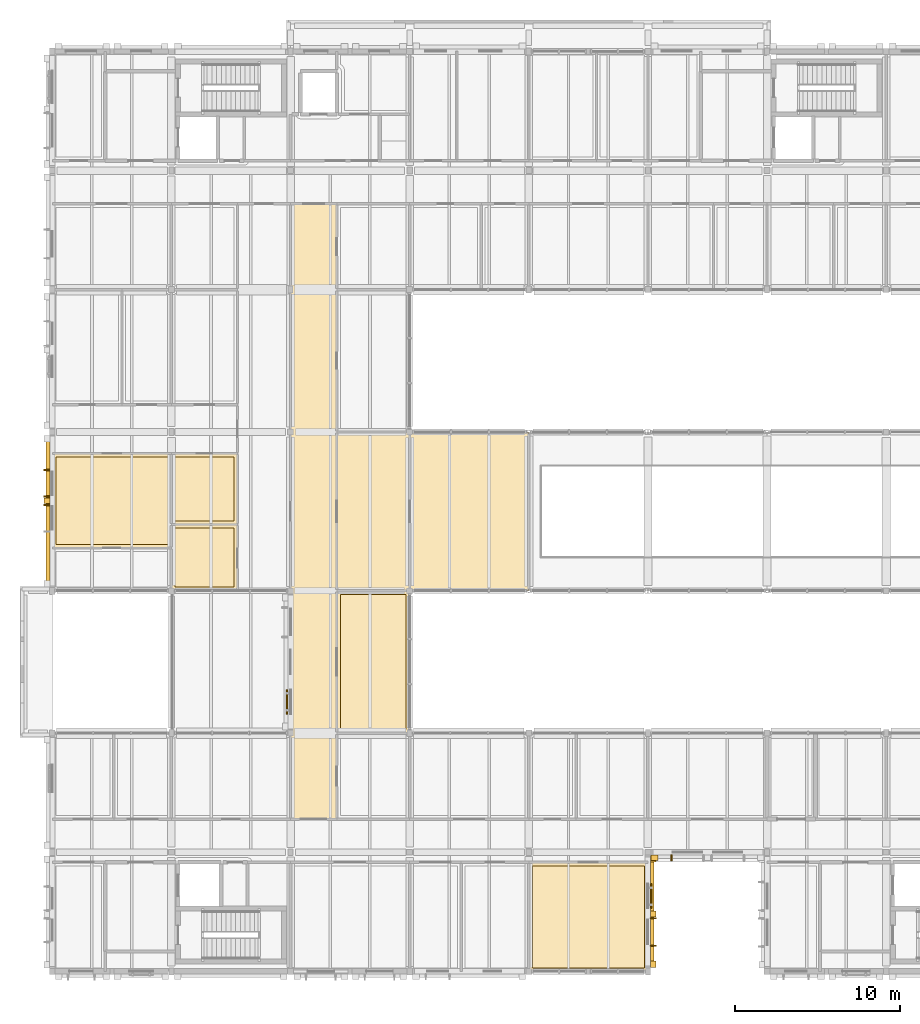
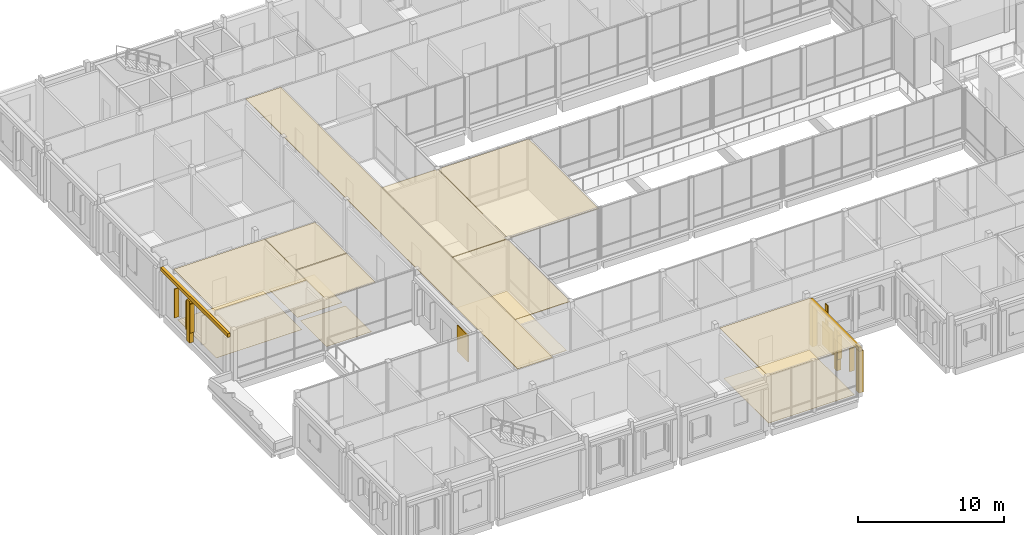
# One storey, part 132 of 146: 20 coverings, 8 shading devices.
"""IFC4 building model written with IfcOpenShell, lengths in metres."""

from ifc_helpers import new_model, si_unit, direction, frame, origin, origin_2d, place, context, subcontext, project, spatial, polyline, rectangle, outline, extrude, material, layer, layer_set, type_object, element, save


model = new_model("IFC4")

# Units and contexts
model_context = context("Model", 3, precision=1e-05, world=origin(), true_north=direction((0.0, 1.0)))
body_context = subcontext(model_context, "Body", "Model", "MODEL_VIEW")
ifc_project = project(units=[si_unit("LENGTHUNIT", "METRE"), si_unit("AREAUNIT", "SQUARE_METRE"), si_unit("VOLUMEUNIT", "CUBIC_METRE"), si_unit("PLANEANGLEUNIT", "RADIAN"), si_unit("MASSUNIT", "GRAM", prefix="KILO")], contexts=[model_context])

# Site, building, storey
site_placement = place(None, origin())
site = spatial("IfcSite", under=ifc_project, at=site_placement, CompositionType="ELEMENT")
building_placement = place(site_placement, origin())
building = spatial("IfcBuilding", under=site, at=building_placement, Name="Hawrajan Terrace Health Centre", CompositionType="ELEMENT")
storey_placement = place(building_placement, frame((0.0, 0.0, 4.5)))
storey = spatial("IfcBuildingStorey", under=building, at=storey_placement, Name="L01", CompositionType="ELEMENT", Elevation=4.5)

# Coverings
ifc_material_1 = material(Name="Precast concrete C40/50", Category="concrete")
ifc_layer_1 = layer(ifc_material_1, 0.219970703125)
ifc_layer_set_1 = layer_set([ifc_layer_1], Name="Precast concrete C40/50")
covering_type_1 = type_object("IfcCoveringType", Name="ArtDecoCorniceBand", PredefinedType="CLADDING", material=ifc_layer_set_1)
covering_1_placement = place(storey_placement, frame((4.340087890625, 32.014892578125, 3.48974609375), z_axis=(0.0, 0.0, 1.0), x_axis=(0.0, 1.0, 0.0)))
element("IfcCovering", 1, at=covering_1_placement, inside=storey, type_object=covering_type_1, Name="Art Deco limestone cornice band CRN-L01-0051", PredefinedType="CLADDING", context=body_context, shape_type="SweptSolid", body=[
    extrude(rectangle(XDim=9.169921875, YDim=0.219970703125, at=origin_2d()), origin(), (0.0, 0.0, 1.0), 0.300048828125),
])
covering_2_placement = place(storey_placement, frame((40.860107421875, 7.81494140625, 3.48974609375), z_axis=(0.0, 0.0, 1.0), x_axis=(0.0, 1.0, 0.0)))
element("IfcCovering", 2, at=covering_2_placement, inside=storey, type_object=covering_type_1, Name="Art Deco limestone cornice band CRN-L01-0066", PredefinedType="CLADDING", context=body_context, shape_type="SweptSolid", body=[
    extrude(rectangle(XDim=6.77001953125, YDim=0.219970703125, at=origin_2d()), origin(), (0.0, 0.0, 1.0), 0.300048828125),
])
ifc_layer_2 = layer(ifc_material_1, 0.340087890625)
ifc_layer_set_2 = layer_set([ifc_layer_2], Name="Precast concrete C40/50")
covering_type_2 = type_object("IfcCoveringType", Name="ArtDecoStonePilaster", PredefinedType="CLADDING", material=ifc_layer_set_2)
covering_3_placement = place(storey_placement, frame((4.280029296875, 32.644775390625, 0.0), z_axis=(0.0, 0.0, 1.0), x_axis=(0.0, 1.0, 0.0)))
element("IfcCovering", 3, at=covering_3_placement, inside=storey, type_object=covering_type_2, Name="Art Deco mullion pilaster FPIL-L01-0074", PredefinedType="CLADDING", context=body_context, shape_type="SweptSolid", body=[
    extrude(rectangle(XDim=0.360107421875, YDim=0.340087890625, at=origin_2d()), origin(), (0.0, 0.0, 1.0), 3.47998046875),
])
for number, where, z_axis, x_axis, name in (
    (4, (40.919921875, 4.6298828125, 0.0), (0.0, 0.0, 1.0), (0.0, 1.0, 0.0), "Art Deco fluted limestone pilaster FPIL-L01-0105"),
    (5, (40.919921875, 11.0, 0.0), (0.0, 0.0, 1.0), (0.0, 1.0, 0.0), "Art Deco fluted limestone pilaster FPIL-L01-0106"),
):
    element("IfcCovering", number, at=place(storey_placement, frame(where, z_axis=z_axis, x_axis=x_axis)), inside=storey, type_object=covering_type_2, Name=name, PredefinedType="CLADDING", context=body_context, shape_type="SweptSolid", body=[
        extrude(rectangle(XDim=0.39990234375, YDim=0.340087890625, at=origin_2d()), origin(), (0.0, 0.0, 1.0), 3.47998046875),
    ])
covering_4_placement = place(storey_placement, frame((40.919921875, 7.6650390625, 0.0), z_axis=(0.0, 0.0, 1.0), x_axis=(0.0, 1.0, 0.0)))
element("IfcCovering", 6, at=covering_4_placement, inside=storey, type_object=covering_type_2, Name="Art Deco mullion pilaster FPIL-L01-0107", PredefinedType="CLADDING", context=body_context, shape_type="SweptSolid", body=[
    extrude(rectangle(XDim=0.360107421875, YDim=0.340087890625, at=origin_2d()), origin(), (0.0, 0.0, 1.0), 3.47998046875),
])
covering_5_placement = place(storey_placement, frame((41.0, 11.070068359375, 0.0), z_axis=(0.0, 0.0, 1.0), x_axis=(1.0, 0.0, 0.0)))
element("IfcCovering", 7, at=covering_5_placement, inside=storey, type_object=covering_type_2, Name="Art Deco fluted limestone pilaster FPIL-L01-0108", PredefinedType="CLADDING", context=body_context, shape_type="SweptSolid", body=[
    extrude(rectangle(XDim=0.39990234375, YDim=0.340087890625, at=origin_2d()), origin(), (0.0, 0.0, 1.0), 3.47998046875),
])
ifc_material_2 = material(Name="Acoustic linear cedar-slat suspended ceiling")
ifc_layer_3 = layer(ifc_material_2, 0.034912109375)
ifc_layer_set_3 = layer_set([ifc_layer_3], Name="Acoustic linear cedar-slat suspended ceiling")
covering_type_3 = type_object("IfcCoveringType", Name="CedarSlatHallCeiling_35", PredefinedType="CEILING", material=ifc_layer_set_3)
covering_6_placement = place(storey_placement, frame((0.0, 0.0, 4.14501953125)))
element("IfcCovering", 8, at=covering_6_placement, inside=storey, type_object=covering_type_3, Name="Suspended ceiling L01-065", PredefinedType="CEILING", context=body_context, shape_type="SweptSolid", body=[
    extrude(outline(polyline([(21.820068359375, 27.179931640625), (26.179931640625, 27.179931640625), (26.179931640625, 18.6201171875), (21.820068359375, 18.6201171875), (21.820068359375, 27.179931640625)])), origin(), (0.0, 0.0, 1.0), 0.034912109375),
])
covering_7_placement = place(storey_placement, frame((0.0, 0.0, 4.14501953125)))
element("IfcCovering", 9, at=covering_7_placement, inside=storey, type_object=covering_type_3, Name="Suspended ceiling L01-066", PredefinedType="CEILING", context=body_context, shape_type="SweptSolid", body=[
    extrude(outline(polyline([(21.820068359375, 36.780029296875), (26.179931640625, 36.780029296875), (26.179931640625, 27.219970703125), (21.820068359375, 27.219970703125), (21.820068359375, 36.780029296875)])), origin(), (0.0, 0.0, 1.0), 0.034912109375),
])
covering_8_placement = place(storey_placement, frame((0.0, 0.0, 4.14501953125)))
element("IfcCovering", 10, at=covering_8_placement, inside=storey, type_object=covering_type_3, Name="Suspended ceiling L01-068", PredefinedType="CEILING", context=body_context, shape_type="SweptSolid", body=[
    extrude(outline(polyline([(26.219970703125, 36.780029296875), (33.3798828125, 36.780029296875), (33.3798828125, 27.219970703125), (26.219970703125, 27.219970703125), (26.219970703125, 36.780029296875)])), origin(), (0.0, 0.0, 1.0), 0.034912109375),
])
ifc_material_3 = material(Name="Hygienic mineral-fibre acoustic tile ceiling")
ifc_layer_4 = layer(ifc_material_3, 0.02490234375)
ifc_layer_set_4 = layer_set([ifc_layer_4], Name="Hygienic mineral-fibre acoustic tile ceiling")
covering_type_4 = type_object("IfcCoveringType", Name="ClinicalAcousticCeiling_25", PredefinedType="CEILING", material=ifc_layer_set_4)
covering_9_placement = place(storey_placement, frame((0.0, 0.0, 4.155029296875)))
element("IfcCovering", 11, at=covering_9_placement, inside=storey, type_object=covering_type_4, Name="Suspended ceiling L01-056", PredefinedType="CEILING", context=body_context, shape_type="SweptSolid", body=[
    extrude(outline(polyline([(19.02001953125, 50.580078125), (21.780029296875, 50.580078125), (21.780029296875, 13.419921875), (19.02001953125, 13.419921875), (19.02001953125, 50.580078125)])), origin(), (0.0, 0.0, 1.0), 0.02490234375),
])
covering_10_placement = place(storey_placement, frame((0.0, 0.0, 4.155029296875)))
element("IfcCovering", 12, at=covering_10_placement, inside=storey, type_object=covering_type_4, Name="Suspended ceiling L01-077", PredefinedType="CEILING", context=body_context, shape_type="SweptSolid", body=[
    extrude(outline(polyline([(4.6201171875, 35.47998046875), (11.780029296875, 35.47998046875), (11.780029296875, 29.8095703125), (4.6201171875, 29.8095703125), (4.6201171875, 35.47998046875)])), origin(), (0.0, 0.0, 1.0), 0.02490234375),
])
covering_11_placement = place(storey_placement, frame((0.0, 0.0, 4.155029296875)))
element("IfcCovering", 13, at=covering_11_placement, inside=storey, type_object=covering_type_4, Name="Suspended ceiling L01-082", PredefinedType="CEILING", context=body_context, shape_type="SweptSolid", body=[
    extrude(outline(polyline([(11.820068359375, 31.18896484375), (15.780029296875, 31.18896484375), (15.780029296875, 27.219970703125), (11.820068359375, 27.219970703125), (11.820068359375, 31.18896484375)])), origin(), (0.0, 0.0, 1.0), 0.02490234375),
])
covering_12_placement = place(storey_placement, frame((0.0, 0.0, 4.155029296875)))
element("IfcCovering", 14, at=covering_12_placement, inside=storey, type_object=covering_type_4, Name="Suspended ceiling L01-083", PredefinedType="CEILING", context=body_context, shape_type="SweptSolid", body=[
    extrude(outline(polyline([(11.820068359375, 35.47998046875), (15.780029296875, 35.47998046875), (15.780029296875, 31.22900390625), (11.820068359375, 31.22900390625), (11.820068359375, 35.47998046875)])), origin(), (0.0, 0.0, 1.0), 0.02490234375),
])
covering_13_placement = place(storey_placement, frame((0.0, 0.0, 4.155029296875)))
element("IfcCovering", 15, at=covering_13_placement, inside=storey, type_object=covering_type_4, Name="Suspended ceiling L01-137", PredefinedType="CEILING", context=body_context, shape_type="SweptSolid", body=[
    extrude(outline(polyline([(33.419921875, 10.780029296875), (40.580078125, 10.780029296875), (40.580078125, 4.219970703125), (33.419921875, 4.219970703125), (33.419921875, 10.780029296875)])), origin(), (0.0, 0.0, 1.0), 0.02490234375),
])
ifc_material_4 = material(Name="Seamless medical-grade cushioned vinyl flooring")
ifc_layer_5 = layer(ifc_material_4, 0.011962890625)
ifc_layer_set_5 = layer_set([ifc_layer_5], Name="Seamless medical-grade cushioned vinyl flooring")
covering_type_5 = type_object("IfcCoveringType", Name="ClinicalVinylFlooring_12", PredefinedType="FLOORING", material=ifc_layer_set_5)
covering_14_placement = place(storey_placement, origin())
element("IfcCovering", 16, at=covering_14_placement, inside=storey, type_object=covering_type_5, Name="Floor finish L01-077", PredefinedType="FLOORING", context=body_context, shape_type="SweptSolid", body=[
    extrude(outline(polyline([(4.820068359375, 35.280029296875), (11.580078125, 35.280029296875), (11.580078125, 30.009521484375), (4.820068359375, 30.009521484375), (4.820068359375, 35.280029296875)])), origin(), (0.0, 0.0, 1.0), 0.011962890625),
])
covering_15_placement = place(storey_placement, origin())
element("IfcCovering", 17, at=covering_15_placement, inside=storey, type_object=covering_type_5, Name="Floor finish L01-082", PredefinedType="FLOORING", context=body_context, shape_type="SweptSolid", body=[
    extrude(outline(polyline([(12.02001953125, 30.989013671875), (15.580078125, 30.989013671875), (15.580078125, 27.419921875), (12.02001953125, 27.419921875), (12.02001953125, 30.989013671875)])), origin(), (0.0, 0.0, 1.0), 0.011962890625),
])
covering_16_placement = place(storey_placement, origin())
element("IfcCovering", 18, at=covering_16_placement, inside=storey, type_object=covering_type_5, Name="Floor finish L01-083", PredefinedType="FLOORING", context=body_context, shape_type="SweptSolid", body=[
    extrude(outline(polyline([(12.02001953125, 35.280029296875), (15.580078125, 35.280029296875), (15.580078125, 31.428955078125), (12.02001953125, 31.428955078125), (12.02001953125, 35.280029296875)])), origin(), (0.0, 0.0, 1.0), 0.011962890625),
])
covering_17_placement = place(storey_placement, origin())
element("IfcCovering", 19, at=covering_17_placement, inside=storey, type_object=covering_type_5, Name="Floor finish L01-137", PredefinedType="FLOORING", context=body_context, shape_type="SweptSolid", body=[
    extrude(outline(polyline([(33.6201171875, 10.580078125), (40.3798828125, 10.580078125), (40.3798828125, 4.419921875), (33.6201171875, 4.419921875), (33.6201171875, 10.580078125)])), origin(), (0.0, 0.0, 1.0), 0.011962890625),
])

# Shading devices
ifc_material_5 = material(Name="Anodized bronze mashrabiya vertical solar fin")
ifc_layer_6 = layer(ifc_material_5, 0.080078125)
ifc_layer_set_6 = layer_set([ifc_layer_6], Name="Anodized bronze mashrabiya vertical solar fin")
shading_device_type_1 = type_object("IfcShadingDeviceType", Name="MashrabiyaVerticalFin", PredefinedType="USERDEFINED", material=ifc_layer_set_6)
for number, where, z_axis, x_axis, name in (
    (20, (4.27001953125, 32.394775390625, 0.900146484375), (0.0, 0.0, 1.0), (0.0, 1.0, 0.0), "Bronze mashrabiya solar fin FIN-L01-0055"),
    (21, (4.27001953125, 32.894775390625, 0.900146484375), (0.0, 0.0, 1.0), (0.0, 1.0, 0.0), "Bronze mashrabiya solar fin FIN-L01-0056"),
    (22, (4.27001953125, 34.494873046875, 0.900146484375), (0.0, 0.0, 1.0), (0.0, 1.0, 0.0), "Bronze mashrabiya solar fin FIN-L01-0057"),
):
    element("IfcShadingDevice", number, at=place(storey_placement, frame(where, z_axis=z_axis, x_axis=x_axis)), inside=storey, type_object=shading_device_type_1, Name=name, ObjectType="SOLAR_FIN", PredefinedType="USERDEFINED", context=body_context, shape_type="SweptSolid", body=[
        extrude(rectangle(XDim=0.080078125, YDim=0.360107421875, at=origin_2d()), origin(), (0.0, 0.0, 1.0), 2.39990234375),
    ])
for number, where, z_axis, x_axis, name in (
    (23, (40.929931640625, 5.7548828125, 1.0), (0.0, 0.0, 1.0), (0.0, 1.0, 0.0), "Bronze mashrabiya solar fin FIN-L01-0075"),
    (24, (40.929931640625, 7.4150390625, 1.0), (0.0, 0.0, 1.0), (0.0, 1.0, 0.0), "Bronze mashrabiya solar fin FIN-L01-0076"),
    (25, (42.02001953125, 11.06005859375, 1.0), (0.0, 0.0, 1.0), (1.0, 0.0, 0.0), "Bronze mashrabiya solar fin FIN-L01-0078"),
):
    element("IfcShadingDevice", number, at=place(storey_placement, frame(where, z_axis=z_axis, x_axis=x_axis)), inside=storey, type_object=shading_device_type_1, Name=name, ObjectType="SOLAR_FIN", PredefinedType="USERDEFINED", context=body_context, shape_type="SweptSolid", body=[
        extrude(rectangle(XDim=0.080078125, YDim=0.360107421875, at=origin_2d()), origin(), (0.0, 0.0, 1.0), 1.949951171875),
    ])
ifc_material_6 = material(Name="Anodized bronze and cedar roshan lattice")
ifc_layer_7 = layer(ifc_material_6, 0.080078125)
ifc_layer_set_7 = layer_set([ifc_layer_7], Name="Anodized bronze and cedar roshan lattice")
shading_device_type_2 = type_object("IfcShadingDeviceType", Name="RoshanScreen_BronzeCedar", PredefinedType="JALOUSIE", material=ifc_layer_set_7)
shading_device_1_placement = place(storey_placement, frame((18.794921875, 20.4951171875, 1.0), z_axis=(0.0, 0.0, 1.0), x_axis=(0.0, 1.0, 0.0)))
element("IfcShadingDevice", 26, at=shading_device_1_placement, inside=storey, type_object=shading_device_type_2, Name="Hijazi roshan solar screen RSH-L01-070", PredefinedType="JALOUSIE", context=body_context, shape_type="SweptSolid", body=[
    extrude(rectangle(XDim=1.47998046875, YDim=0.080078125, at=origin_2d()), origin(), (0.0, 0.0, 1.0), 2.199951171875),
])
shading_device_2_placement = place(storey_placement, frame((40.794921875, 8.7451171875, 1.0), z_axis=(0.0, 0.0, 1.0), x_axis=(0.0, 1.0, 0.0)))
element("IfcShadingDevice", 27, at=shading_device_2_placement, inside=storey, type_object=shading_device_type_2, Name="Hijazi roshan solar screen RSH-L01-077", PredefinedType="JALOUSIE", context=body_context, shape_type="SweptSolid", body=[
    extrude(rectangle(XDim=1.47998046875, YDim=0.080078125, at=origin_2d()), origin(), (0.0, 0.0, 1.0), 1.949951171875),
])

# Covering
ifc_material_7 = material(Name="Polished coral-aggregate terrazzo flooring")
ifc_layer_8 = layer(ifc_material_7, 0.02001953125)
ifc_layer_set_8 = layer_set([ifc_layer_8], Name="Polished coral-aggregate terrazzo flooring")
covering_type_6 = type_object("IfcCoveringType", Name="TerrazzoHallFlooring_20", PredefinedType="FLOORING", material=ifc_layer_set_8)
covering_18_placement = place(storey_placement, origin())
element("IfcCovering", 28, at=covering_18_placement, inside=storey, type_object=covering_type_6, Name="Floor finish L01-065", PredefinedType="FLOORING", context=body_context, shape_type="SweptSolid", body=[
    extrude(outline(polyline([(22.02001953125, 26.97998046875), (25.97998046875, 26.97998046875), (25.97998046875, 18.820068359375), (22.02001953125, 18.820068359375), (22.02001953125, 26.97998046875)])), origin(), (0.0, 0.0, 1.0), 0.02001953125),
])

save(model, "model.ifc")
